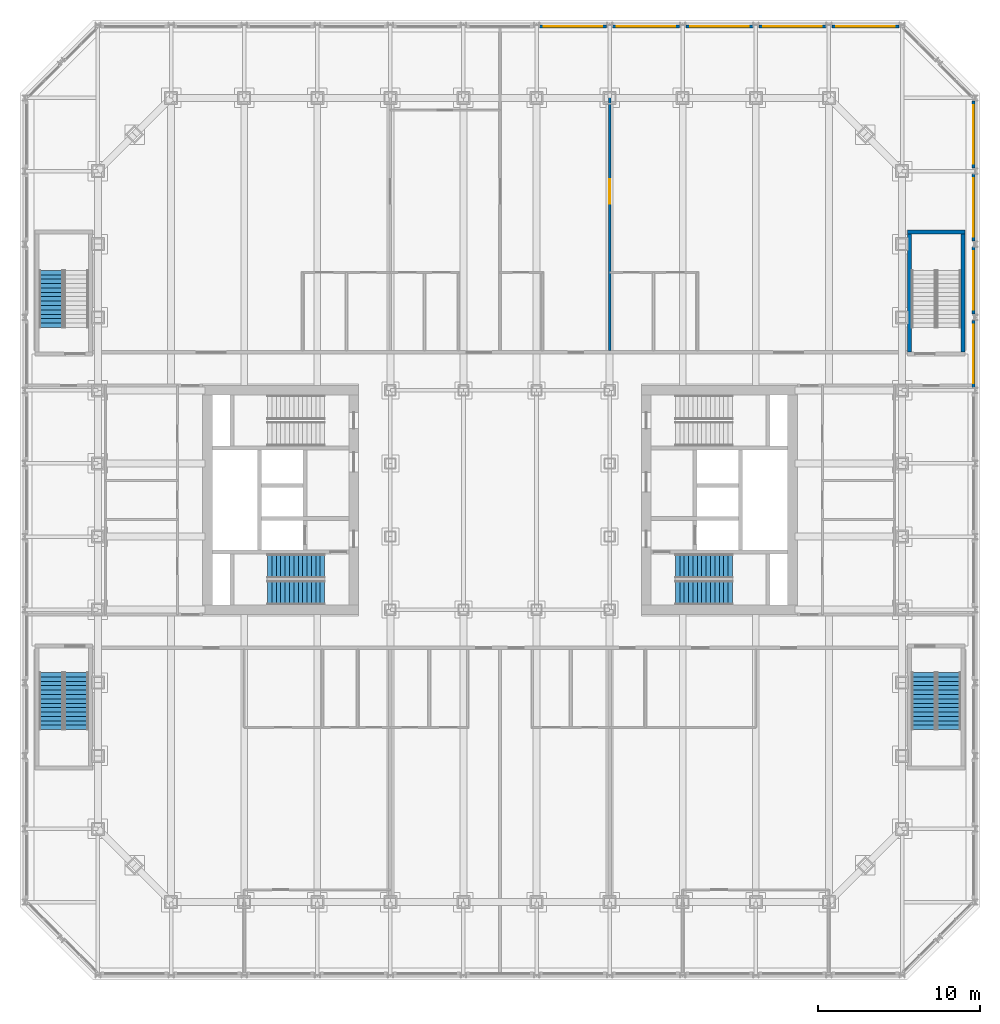
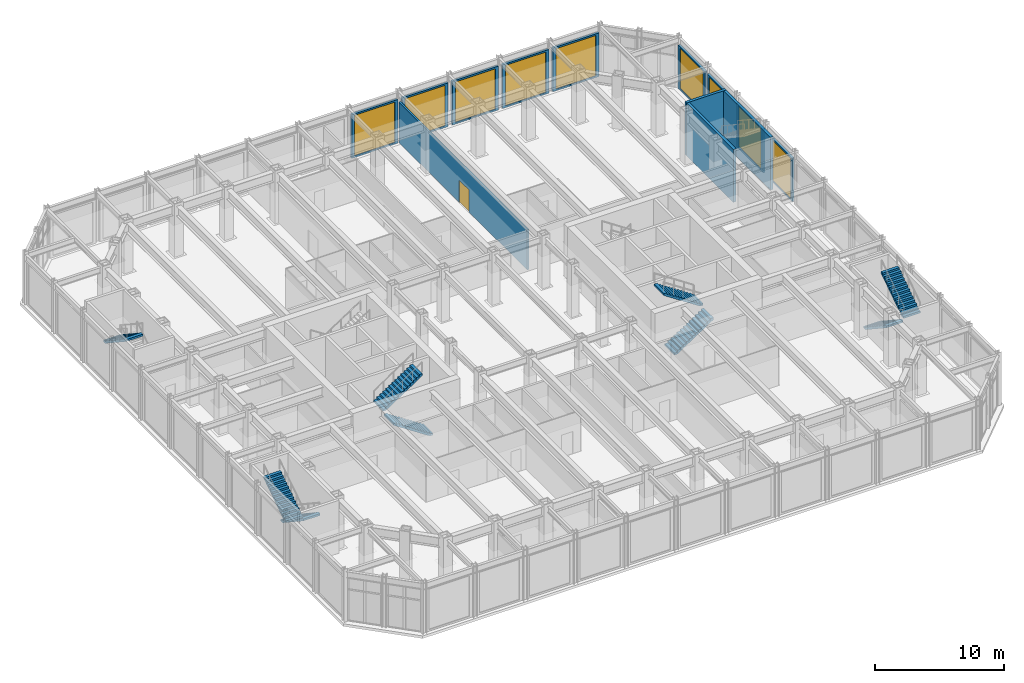
# One storey, part 15 of 19: 13 walls, 9 stair flights, 9 windows, 1 door, 10 openings, 5 elements without a shape of their own.
"""IFC4 building model written with IfcOpenShell, lengths in metres."""

from ifc_helpers import new_model, si_unit, direction, frame, frame_2d, origin, place, context, subcontext, project, spatial, polyline, rectangle, outline, extrude, material, layer, layer_set, type_object, element, fill, aggregate, save


model = new_model("IFC4")

# Units and contexts
model_context = context("Model", 3, precision=1e-05, world=origin(), true_north=direction((0.0, 1.0)))
body_context = subcontext(model_context, "Body", "Model", "MODEL_VIEW")
ifc_project = project(units=[si_unit("LENGTHUNIT", "METRE"), si_unit("AREAUNIT", "SQUARE_METRE"), si_unit("VOLUMEUNIT", "CUBIC_METRE"), si_unit("PLANEANGLEUNIT", "RADIAN"), si_unit("MASSUNIT", "GRAM", prefix="KILO")], contexts=[model_context])

# Site, building, storey
site_placement = place(None, origin())
site = spatial("IfcSite", under=ifc_project, at=site_placement, CompositionType="ELEMENT")
building_placement = place(site_placement, origin())
building = spatial("IfcBuilding", under=site, at=building_placement, Name="Msasa Ring Tower", CompositionType="ELEMENT")
storey_placement = place(building_placement, frame((0.0, 0.0, 11.0)))
storey = spatial("IfcBuildingStorey", under=building, at=storey_placement, Name="L02", CompositionType="ELEMENT", Elevation=11.0)

# Wall, opening, window
ifc_material_1 = material(Name="Terracotta rainscreen on blockwork", Category="masonry")
ifc_layer_1 = layer(ifc_material_1, 0.199951171875)
ifc_layer_set_1 = layer_set([ifc_layer_1], Name="FW2 TERRACOTTA PODIUM BAY WALL 200")
wall_type_1 = type_object("IfcWallType", Name="FW2 TERRACOTTA PODIUM BAY WALL 200", PredefinedType="SOLIDWALL", material=ifc_layer_set_1)
wall_1_placement = place(storey_placement, frame((29.14990234375, 6.9375, 0.0), z_axis=(0.0, 0.0, 1.0), x_axis=(0.0, 1.0, 0.0)))
wall_1 = element("IfcWall", 1, at=wall_1_placement, inside=storey, type_object=wall_type_1, Name="Podium bay wall E L02 20", PredefinedType="SOLIDWALL", context=body_context, shape_type="SweptSolid", body=[
    extrude(rectangle(XDim=4.125, YDim=0.199951171875, at=frame_2d((2.0625, 0.0))), origin(), (0.0, 0.0, 1.0), 4.1328125),
])
opening_1_placement = place(wall_1_placement, frame((0.262451171875, 0.0, 0.14990234375)))
opening_1 = element("IfcOpeningElement", 2, at=opening_1_placement, cuts=wall_1, Name="Opening SF3", PredefinedType="OPENING", context=body_context, shape_type="SweptSolid", body=[
    extrude(rectangle(XDim=3.60009765625, YDim=3.8330078125, at=frame_2d((1.800048828125, 1.91650390625))), frame((0.0, 0.10986328125, 0.0), z_axis=(0.0, -1.0, 0.0), x_axis=(1.0, 0.0, 0.0)), (0.0, 0.0, 1.0), 0.219970703125),
])
ifc_material_2 = material(Name="Aluminium frame with clear glass", Category="aluminium")
window_type = type_object("IfcWindowType", Name="SF3 SHOPFRONT GLAZING 3600x3833", PartitioningType="SINGLE_PANEL", PredefinedType="WINDOW", material=ifc_material_2)
window_1_placement = place(opening_1_placement, origin())
window_1 = element("IfcWindow", 3, at=window_1_placement, inside=storey, type_object=window_type, Name="Shopfront glazing E L02 20", OverallHeight=3.8330078125, OverallWidth=3.60009765625, PartitioningType="SINGLE_PANEL", PredefinedType="WINDOW", context=body_context, shape_type="SweptSolid", body=[
    extrude(rectangle(XDim=3.60009765625, YDim=3.8330078125, at=frame_2d((1.800048828125, 1.91650390625))), frame((0.0, 0.030029296875, 0.0), z_axis=(0.0, -1.0, 0.0), x_axis=(1.0, 0.0, 0.0)), (0.0, 0.0, 1.0), 0.06005859375),
])
fill(opening_1, window_1)

wall_2_placement = place(storey_placement, frame((29.14990234375, 11.4375, 0.0), z_axis=(0.0, 0.0, 1.0), x_axis=(0.0, 1.0, 0.0)))
wall_2 = element("IfcWall", 4, at=wall_2_placement, inside=storey, type_object=wall_type_1, Name="Podium bay wall E L02 21", PredefinedType="SOLIDWALL", context=body_context, shape_type="SweptSolid", body=[
    extrude(rectangle(XDim=4.125, YDim=0.199951171875, at=frame_2d((2.0625, 0.0))), origin(), (0.0, 0.0, 1.0), 4.1328125),
])
opening_2_placement = place(wall_2_placement, frame((0.262451171875, 0.0, 0.14990234375)))
opening_2 = element("IfcOpeningElement", 5, at=opening_2_placement, cuts=wall_2, Name="Opening SF3", PredefinedType="OPENING", context=body_context, shape_type="SweptSolid", body=[
    extrude(rectangle(XDim=3.60009765625, YDim=3.8330078125, at=frame_2d((1.800048828125, 1.91650390625))), frame((0.0, 0.10986328125, 0.0), z_axis=(0.0, -1.0, 0.0), x_axis=(1.0, 0.0, 0.0)), (0.0, 0.0, 1.0), 0.219970703125),
])
window_2_placement = place(opening_2_placement, origin())
window_2 = element("IfcWindow", 6, at=window_2_placement, inside=storey, type_object=window_type, Name="Shopfront glazing E L02 21", OverallHeight=3.8330078125, OverallWidth=3.60009765625, PartitioningType="SINGLE_PANEL", PredefinedType="WINDOW", context=body_context, shape_type="SweptSolid", body=[
    extrude(rectangle(XDim=3.60009765625, YDim=3.8330078125, at=frame_2d((1.800048828125, 1.91650390625))), frame((0.0, 0.030029296875, 0.0), z_axis=(0.0, -1.0, 0.0), x_axis=(1.0, 0.0, 0.0)), (0.0, 0.0, 1.0), 0.06005859375),
])
fill(opening_2, window_2)

wall_3_placement = place(storey_placement, frame((29.14990234375, 15.9375, 0.0), z_axis=(0.0, 0.0, 1.0), x_axis=(0.0, 1.0, 0.0)))
wall_3 = element("IfcWall", 7, at=wall_3_placement, inside=storey, type_object=wall_type_1, Name="Podium bay wall E L02 22", PredefinedType="SOLIDWALL", context=body_context, shape_type="SweptSolid", body=[
    extrude(rectangle(XDim=4.124755859375, YDim=0.199951171875, at=frame_2d((2.0625, 0.0))), origin(), (0.0, 0.0, 1.0), 4.1328125),
])
opening_3_placement = place(wall_3_placement, frame((0.262451171875, 0.0, 0.14990234375)))
opening_3 = element("IfcOpeningElement", 8, at=opening_3_placement, cuts=wall_3, Name="Opening SF3", PredefinedType="OPENING", context=body_context, shape_type="SweptSolid", body=[
    extrude(rectangle(XDim=3.60009765625, YDim=3.8330078125, at=frame_2d((1.800048828125, 1.91650390625))), frame((0.0, 0.10986328125, 0.0), z_axis=(0.0, -1.0, 0.0), x_axis=(1.0, 0.0, 0.0)), (0.0, 0.0, 1.0), 0.219970703125),
])
window_3_placement = place(opening_3_placement, origin())
window_3 = element("IfcWindow", 9, at=window_3_placement, inside=storey, type_object=window_type, Name="Shopfront glazing E L02 22", OverallHeight=3.8330078125, OverallWidth=3.60009765625, PartitioningType="SINGLE_PANEL", PredefinedType="WINDOW", context=body_context, shape_type="SweptSolid", body=[
    extrude(rectangle(XDim=3.60009765625, YDim=3.8330078125, at=frame_2d((1.800048828125, 1.91650390625))), frame((0.0, 0.030029296875, 0.0), z_axis=(0.0, -1.0, 0.0), x_axis=(1.0, 0.0, 0.0)), (0.0, 0.0, 1.0), 0.06005859375),
])
fill(opening_3, window_3)

wall_4_placement = place(storey_placement, frame((29.14990234375, 20.437744140625, 0.0), z_axis=(0.0, 0.0, 1.0), x_axis=(0.0, 1.0, 0.0)))
wall_4 = element("IfcWall", 10, at=wall_4_placement, inside=storey, type_object=wall_type_1, Name="Podium bay wall E L02 23", PredefinedType="SOLIDWALL", context=body_context, shape_type="SweptSolid", body=[
    extrude(rectangle(XDim=4.12451171875, YDim=0.199951171875, at=frame_2d((2.062255859375, 0.0))), origin(), (0.0, 0.0, 1.0), 4.1328125),
])
opening_4_placement = place(wall_4_placement, frame((0.26220703125, 0.0, 0.14990234375)))
opening_4 = element("IfcOpeningElement", 11, at=opening_4_placement, cuts=wall_4, Name="Opening SF3", PredefinedType="OPENING", context=body_context, shape_type="SweptSolid", body=[
    extrude(rectangle(XDim=3.60009765625, YDim=3.8330078125, at=frame_2d((1.800048828125, 1.91650390625))), frame((0.0, 0.10986328125, 0.0), z_axis=(0.0, -1.0, 0.0), x_axis=(1.0, 0.0, 0.0)), (0.0, 0.0, 1.0), 0.219970703125),
])
window_4_placement = place(opening_4_placement, origin())
window_4 = element("IfcWindow", 12, at=window_4_placement, inside=storey, type_object=window_type, Name="Shopfront glazing E L02 23", OverallHeight=3.8330078125, OverallWidth=3.60009765625, PartitioningType="SINGLE_PANEL", PredefinedType="WINDOW", context=body_context, shape_type="SweptSolid", body=[
    extrude(rectangle(XDim=3.60009765625, YDim=3.8330078125, at=frame_2d((1.800048828125, 1.91650390625))), frame((0.0, 0.030029296875, 0.0), z_axis=(0.0, -1.0, 0.0), x_axis=(1.0, 0.0, 0.0)), (0.0, 0.0, 1.0), 0.06005859375),
])
fill(opening_4, window_4)

wall_5_placement = place(storey_placement, frame((2.437744140625, 29.14990234375, 0.0), z_axis=(0.0, 0.0, 1.0), x_axis=(1.0, 0.0, 0.0)))
wall_5 = element("IfcWall", 13, at=wall_5_placement, inside=storey, type_object=wall_type_1, Name="Podium bay wall N L02 32", PredefinedType="SOLIDWALL", context=body_context, shape_type="SweptSolid", body=[
    extrude(rectangle(XDim=4.124755859375, YDim=0.199951171875, at=frame_2d((2.0625, 0.0))), origin(), (0.0, 0.0, 1.0), 4.1328125),
])
opening_5_placement = place(wall_5_placement, frame((0.26220703125, 0.0, 0.14990234375)))
opening_5 = element("IfcOpeningElement", 14, at=opening_5_placement, cuts=wall_5, Name="Opening SF3", PredefinedType="OPENING", context=body_context, shape_type="SweptSolid", body=[
    extrude(rectangle(XDim=3.60009765625, YDim=3.8330078125, at=frame_2d((1.800048828125, 1.91650390625))), frame((0.0, 0.10986328125, 0.0), z_axis=(0.0, -1.0, 0.0), x_axis=(1.0, 0.0, 0.0)), (0.0, 0.0, 1.0), 0.219970703125),
])
window_5_placement = place(opening_5_placement, origin())
window_5 = element("IfcWindow", 15, at=window_5_placement, inside=storey, type_object=window_type, Name="Shopfront glazing N L02 32", OverallHeight=3.8330078125, OverallWidth=3.60009765625, PartitioningType="SINGLE_PANEL", PredefinedType="WINDOW", context=body_context, shape_type="SweptSolid", body=[
    extrude(rectangle(XDim=3.60009765625, YDim=3.8330078125, at=frame_2d((1.800048828125, 1.91650390625))), frame((0.0, 0.030029296875, 0.0), z_axis=(0.0, -1.0, 0.0), x_axis=(1.0, 0.0, 0.0)), (0.0, 0.0, 1.0), 0.06005859375),
])
fill(opening_5, window_5)

wall_6_placement = place(storey_placement, frame((6.9375, 29.14990234375, 0.0), z_axis=(0.0, 0.0, 1.0), x_axis=(1.0, 0.0, 0.0)))
wall_6 = element("IfcWall", 16, at=wall_6_placement, inside=storey, type_object=wall_type_1, Name="Podium bay wall N L02 33", PredefinedType="SOLIDWALL", context=body_context, shape_type="SweptSolid", body=[
    extrude(rectangle(XDim=4.125, YDim=0.199951171875, at=frame_2d((2.0625, 0.0))), origin(), (0.0, 0.0, 1.0), 4.1328125),
])
opening_6_placement = place(wall_6_placement, frame((0.262451171875, 0.0, 0.14990234375)))
opening_6 = element("IfcOpeningElement", 17, at=opening_6_placement, cuts=wall_6, Name="Opening SF3", PredefinedType="OPENING", context=body_context, shape_type="SweptSolid", body=[
    extrude(rectangle(XDim=3.60009765625, YDim=3.8330078125, at=frame_2d((1.800048828125, 1.91650390625))), frame((0.0, 0.10986328125, 0.0), z_axis=(0.0, -1.0, 0.0), x_axis=(1.0, 0.0, 0.0)), (0.0, 0.0, 1.0), 0.219970703125),
])
window_6_placement = place(opening_6_placement, origin())
window_6 = element("IfcWindow", 18, at=window_6_placement, inside=storey, type_object=window_type, Name="Shopfront glazing N L02 33", OverallHeight=3.8330078125, OverallWidth=3.60009765625, PartitioningType="SINGLE_PANEL", PredefinedType="WINDOW", context=body_context, shape_type="SweptSolid", body=[
    extrude(rectangle(XDim=3.60009765625, YDim=3.8330078125, at=frame_2d((1.800048828125, 1.91650390625))), frame((0.0, 0.030029296875, 0.0), z_axis=(0.0, -1.0, 0.0), x_axis=(1.0, 0.0, 0.0)), (0.0, 0.0, 1.0), 0.06005859375),
])
fill(opening_6, window_6)

wall_7_placement = place(storey_placement, frame((11.4375, 29.14990234375, 0.0), z_axis=(0.0, 0.0, 1.0), x_axis=(1.0, 0.0, 0.0)))
wall_7 = element("IfcWall", 19, at=wall_7_placement, inside=storey, type_object=wall_type_1, Name="Podium bay wall N L02 34", PredefinedType="SOLIDWALL", context=body_context, shape_type="SweptSolid", body=[
    extrude(rectangle(XDim=4.125, YDim=0.199951171875, at=frame_2d((2.0625, 0.0))), origin(), (0.0, 0.0, 1.0), 4.1328125),
])
opening_7_placement = place(wall_7_placement, frame((0.262451171875, 0.0, 0.14990234375)))
opening_7 = element("IfcOpeningElement", 20, at=opening_7_placement, cuts=wall_7, Name="Opening SF3", PredefinedType="OPENING", context=body_context, shape_type="SweptSolid", body=[
    extrude(rectangle(XDim=3.60009765625, YDim=3.8330078125, at=frame_2d((1.800048828125, 1.91650390625))), frame((0.0, 0.10986328125, 0.0), z_axis=(0.0, -1.0, 0.0), x_axis=(1.0, 0.0, 0.0)), (0.0, 0.0, 1.0), 0.219970703125),
])
window_7_placement = place(opening_7_placement, origin())
window_7 = element("IfcWindow", 21, at=window_7_placement, inside=storey, type_object=window_type, Name="Shopfront glazing N L02 34", OverallHeight=3.8330078125, OverallWidth=3.60009765625, PartitioningType="SINGLE_PANEL", PredefinedType="WINDOW", context=body_context, shape_type="SweptSolid", body=[
    extrude(rectangle(XDim=3.60009765625, YDim=3.8330078125, at=frame_2d((1.800048828125, 1.91650390625))), frame((0.0, 0.030029296875, 0.0), z_axis=(0.0, -1.0, 0.0), x_axis=(1.0, 0.0, 0.0)), (0.0, 0.0, 1.0), 0.06005859375),
])
fill(opening_7, window_7)

wall_8_placement = place(storey_placement, frame((15.9375, 29.14990234375, 0.0), z_axis=(0.0, 0.0, 1.0), x_axis=(1.0, 0.0, 0.0)))
wall_8 = element("IfcWall", 22, at=wall_8_placement, inside=storey, type_object=wall_type_1, Name="Podium bay wall N L02 35", PredefinedType="SOLIDWALL", context=body_context, shape_type="SweptSolid", body=[
    extrude(rectangle(XDim=4.124755859375, YDim=0.199951171875, at=frame_2d((2.0625, 0.0))), origin(), (0.0, 0.0, 1.0), 4.1328125),
])
opening_8_placement = place(wall_8_placement, frame((0.262451171875, 0.0, 0.14990234375)))
opening_8 = element("IfcOpeningElement", 23, at=opening_8_placement, cuts=wall_8, Name="Opening SF3", PredefinedType="OPENING", context=body_context, shape_type="SweptSolid", body=[
    extrude(rectangle(XDim=3.60009765625, YDim=3.8330078125, at=frame_2d((1.800048828125, 1.91650390625))), frame((0.0, 0.10986328125, 0.0), z_axis=(0.0, -1.0, 0.0), x_axis=(1.0, 0.0, 0.0)), (0.0, 0.0, 1.0), 0.219970703125),
])
window_8_placement = place(opening_8_placement, origin())
window_8 = element("IfcWindow", 24, at=window_8_placement, inside=storey, type_object=window_type, Name="Shopfront glazing N L02 35", OverallHeight=3.8330078125, OverallWidth=3.60009765625, PartitioningType="SINGLE_PANEL", PredefinedType="WINDOW", context=body_context, shape_type="SweptSolid", body=[
    extrude(rectangle(XDim=3.60009765625, YDim=3.8330078125, at=frame_2d((1.800048828125, 1.91650390625))), frame((0.0, 0.030029296875, 0.0), z_axis=(0.0, -1.0, 0.0), x_axis=(1.0, 0.0, 0.0)), (0.0, 0.0, 1.0), 0.06005859375),
])
fill(opening_8, window_8)

wall_9_placement = place(storey_placement, frame((20.437744140625, 29.14990234375, 0.0), z_axis=(0.0, 0.0, 1.0), x_axis=(1.0, 0.0, 0.0)))
wall_9 = element("IfcWall", 25, at=wall_9_placement, inside=storey, type_object=wall_type_1, Name="Podium bay wall N L02 36", PredefinedType="SOLIDWALL", context=body_context, shape_type="SweptSolid", body=[
    extrude(rectangle(XDim=4.12451171875, YDim=0.199951171875, at=frame_2d((2.062255859375, 0.0))), origin(), (0.0, 0.0, 1.0), 4.1328125),
])
opening_9_placement = place(wall_9_placement, frame((0.26220703125, 0.0, 0.14990234375)))
opening_9 = element("IfcOpeningElement", 26, at=opening_9_placement, cuts=wall_9, Name="Opening SF3", PredefinedType="OPENING", context=body_context, shape_type="SweptSolid", body=[
    extrude(rectangle(XDim=3.60009765625, YDim=3.8330078125, at=frame_2d((1.800048828125, 1.91650390625))), frame((0.0, 0.10986328125, 0.0), z_axis=(0.0, -1.0, 0.0), x_axis=(1.0, 0.0, 0.0)), (0.0, 0.0, 1.0), 0.219970703125),
])
window_9_placement = place(opening_9_placement, origin())
window_9 = element("IfcWindow", 27, at=window_9_placement, inside=storey, type_object=window_type, Name="Shopfront glazing N L02 36", OverallHeight=3.8330078125, OverallWidth=3.60009765625, PartitioningType="SINGLE_PANEL", PredefinedType="WINDOW", context=body_context, shape_type="SweptSolid", body=[
    extrude(rectangle(XDim=3.60009765625, YDim=3.8330078125, at=frame_2d((1.800048828125, 1.91650390625))), frame((0.0, 0.030029296875, 0.0), z_axis=(0.0, -1.0, 0.0), x_axis=(1.0, 0.0, 0.0)), (0.0, 0.0, 1.0), 0.06005859375),
])
fill(opening_9, window_9)

# Wall, opening, door
ifc_material_3 = material(Name="Moisture-resistant board on steel studs with a concealed cistern and pipe void, tiled", Category="steel")
ifc_layer_2 = layer(ifc_material_3, 0.14990234375)
ifc_layer_set_2 = layer_set([ifc_layer_2], Name="PT4 BATHROOM WET WALL 150")
wall_type_2 = type_object("IfcWallType", Name="PT4 BATHROOM WET WALL 150", PredefinedType="PARTITIONING", material=ifc_layer_set_2)
wall_10_placement = place(storey_placement, frame((6.75, 9.199951171875, 0.0), z_axis=(0.0, 0.0, 1.0), x_axis=(0.0, 1.0, 0.0)))
wall_10 = element("IfcWall", 28, at=wall_10_placement, inside=storey, type_object=wall_type_2, Name="Partition L02-PWN+6.75", PredefinedType="PARTITIONING", context=body_context, shape_type="SweptSolid", body=[
    extrude(rectangle(XDim=19.888916015625, YDim=0.14990234375, at=frame_2d((9.9443359375, 0.0))), origin(), (0.0, 0.0, 1.0), 3.8291015625),
])
opening_10_placement = place(wall_10_placement, frame((9.050048828125, 0.0, 0.0)))
opening_10 = element("IfcOpeningElement", 29, at=opening_10_placement, cuts=wall_10, Name="Opening L02-004", PredefinedType="OPENING", context=body_context, shape_type="SweptSolid", body=[
    extrude(rectangle(XDim=1.5, YDim=2.10009765625, at=frame_2d((0.75, 1.050048828125))), frame((0.0, 0.0849609375, 0.0), z_axis=(0.0, -1.0, 0.0), x_axis=(1.0, 0.0, 0.0)), (0.0, 0.0, 1.0), 0.169921875),
])
ifc_material_4 = material(Name="Timber door leaf in a steel frame", Category="steel")
door_type = type_object("IfcDoorType", Name="D28 INTERNAL KITCHEN DOUBLE SWING DOOR 1500x2100", OperationType="SINGLE_SWING_LEFT", PredefinedType="DOOR", material=ifc_material_4)
door_placement = place(opening_10_placement, origin())
door = element("IfcDoor", 30, at=door_placement, inside=storey, type_object=door_type, Name="Door L02-PKN2", OperationType="SINGLE_SWING_LEFT", OverallHeight=2.10009765625, OverallWidth=1.5, PredefinedType="DOOR", context=body_context, shape_type="SweptSolid", body=[
    extrude(rectangle(XDim=1.5, YDim=2.10009765625, at=frame_2d((0.75, 1.050048828125))), frame((0.0, 0.02490234375, 0.0), z_axis=(0.0, -1.0, 0.0), x_axis=(1.0, 0.0, 0.0)), (0.0, 0.0, 1.0), 0.050048828125),
])
fill(opening_10, door)

# Walls
ifc_material_5 = material(Name="Concrete C60/75", Category="concrete")
ifc_layer_3 = layer(ifc_material_5, 0.25)
ifc_layer_set_3 = layer_set([ifc_layer_3], Name="SW1 STAIR WALL 250")
wall_type_3 = type_object("IfcWallType", Name="SW1 STAIR WALL 250", PredefinedType="SHEAR", material=ifc_layer_set_3)
wall_11_placement = place(storey_placement, frame((25.074951171875, 16.5, 0.0), z_axis=(0.0, 0.0, 1.0), x_axis=(1.0, 0.0, 0.0)))
element("IfcWall", 31, at=wall_11_placement, inside=storey, type_object=wall_type_3, Name="Podium stair EN wall N L02", PredefinedType="SHEAR", context=body_context, shape_type="SweptSolid", body=[
    extrude(rectangle(XDim=3.550048828125, YDim=0.25, at=frame_2d((1.77490234375, 0.0))), origin(), (0.0, 0.0, 1.0), 5.0),
])
for number, where, z_axis, x_axis, name in (
    (32, (25.199951171875, 9.125, 0.0), (0.0, 0.0, 1.0), (0.0, 1.0, 0.0), "Podium stair EN wall W L02"),
    (33, (28.5, 9.125, 0.0), (0.0, 0.0, 1.0), (0.0, 1.0, 0.0), "Podium stair EN wall E L02"),
):
    element("IfcWall", number, at=place(storey_placement, frame(where, z_axis=z_axis, x_axis=x_axis)), inside=storey, type_object=wall_type_3, Name=name, PredefinedType="SHEAR", context=body_context, shape_type="SweptSolid", body=[
        extrude(rectangle(XDim=7.25, YDim=0.25, at=frame_2d((3.625, 0.0))), origin(), (0.0, 0.0, 1.0), 5.0),
    ])

# Stair, stair flights
ifc_material_6 = material(Name="Concrete C40/50", Category="concrete")
stair_type_1 = type_object("IfcStairType", Name="STC CORE STAIR 28 RISERS 178.6", PredefinedType="HALF_TURN_STAIR", material=ifc_material_6)
stair_1_placement = place(storey_placement, origin())
stair_1 = element("IfcStair", 34, at=stair_1_placement, inside=storey, type_object=stair_type_1, Name="Core stair SEA L02", PredefinedType="HALF_TURN_STAIR")
ifc_material_7 = material(Name="Concrete C40/50", Category="concrete")
stair_flight_type_1 = type_object("IfcStairFlightType", Name="ST13 CORE STAIR FLIGHT 1500 14 RISERS 178.6", PredefinedType="STRAIGHT", material=ifc_material_7)
stair_flight_1_placement = place(storey_placement, frame((10.800048828125, -5.699951171875, 0.0), z_axis=(0.0, 0.0, 1.0), x_axis=(1.0, 0.0, 0.0)))
stair_flight_1 = element("IfcStairFlight", 35, at=stair_flight_1_placement, type_object=stair_flight_type_1, Name="SEA flight 1", NumberOfRisers=14, NumberOfTreads=13, PredefinedType="STRAIGHT", RiserHeight=0.178571429, TreadLength=0.27, context=body_context, shape_type="SweptSolid", body=[
    extrude(outline(polyline([(0.0, 0.0), (0.0, 0.178466796875), (0.27001953125, 0.178466796875), (0.27001953125, 0.357177734375), (0.5400390625, 0.357177734375), (0.5400390625, 0.53564453125), (0.81005859375, 0.53564453125), (0.81005859375, 0.71435546875), (1.080078125, 0.71435546875), (1.080078125, 0.892822265625), (1.35009765625, 0.892822265625), (1.35009765625, 1.071533203125), (1.6201171875, 1.071533203125), (1.6201171875, 1.25), (1.889892578125, 1.25), (1.889892578125, 1.428466796875), (2.159912109375, 1.428466796875), (2.159912109375, 1.607177734375), (2.429931640625, 1.607177734375), (2.429931640625, 1.78564453125), (2.699951171875, 1.78564453125), (2.699951171875, 1.96435546875), (2.969970703125, 1.96435546875), (2.969970703125, 2.142822265625), (3.239990234375, 2.142822265625), (3.239990234375, 2.321533203125), (3.510009765625, 2.321533203125), (3.510009765625, 2.5), (3.510009765625, 2.1416015625), (0.271728515625, 0.0), (0.0, 0.0)])), frame((0.0, 0.75, 0.0), z_axis=(0.0, -1.0, 0.0), x_axis=(1.0, 0.0, 0.0)), (0.0, 0.0, 1.0), 1.5),
])
stair_flight_2_placement = place(storey_placement, frame((14.31005859375, -4.074951171875, 2.5), z_axis=(0.0, 0.0, 1.0), x_axis=(-1.0, 0.0, 0.0)))
stair_flight_2 = element("IfcStairFlight", 36, at=stair_flight_2_placement, type_object=stair_flight_type_1, Name="SEA flight 2", NumberOfRisers=14, NumberOfTreads=13, PredefinedType="STRAIGHT", RiserHeight=0.178571429, TreadLength=0.27, context=body_context, shape_type="SweptSolid", body=[
    extrude(outline(polyline([(0.0, 0.0), (0.0, 0.178466796875), (0.27001953125, 0.178466796875), (0.27001953125, 0.357177734375), (0.5400390625, 0.357177734375), (0.5400390625, 0.53564453125), (0.81005859375, 0.53564453125), (0.81005859375, 0.71435546875), (1.080078125, 0.71435546875), (1.080078125, 0.892822265625), (1.35009765625, 0.892822265625), (1.35009765625, 1.071533203125), (1.6201171875, 1.071533203125), (1.6201171875, 1.25), (1.889892578125, 1.25), (1.889892578125, 1.428466796875), (2.159912109375, 1.428466796875), (2.159912109375, 1.607177734375), (2.429931640625, 1.607177734375), (2.429931640625, 1.78564453125), (2.699951171875, 1.78564453125), (2.699951171875, 1.96435546875), (2.969970703125, 1.96435546875), (2.969970703125, 2.142822265625), (3.239990234375, 2.142822265625), (3.239990234375, 2.321533203125), (3.510009765625, 2.321533203125), (3.510009765625, 2.5), (3.510009765625, 2.1416015625), (0.271728515625, 0.0), (0.0, 0.0)])), frame((0.0, 0.75, 0.0), z_axis=(0.0, -1.0, 0.0), x_axis=(1.0, 0.0, 0.0)), (0.0, 0.0, 1.0), 1.5),
])
aggregate(stair_1, [stair_flight_1, stair_flight_2])

stair_2_placement = place(storey_placement, origin())
stair_2 = element("IfcStair", 37, at=stair_2_placement, inside=storey, type_object=stair_type_1, Name="Core stair SWA L02", PredefinedType="HALF_TURN_STAIR")
stair_flight_3_placement = place(storey_placement, frame((-10.800048828125, -5.699951171875, 0.0), z_axis=(0.0, 0.0, 1.0), x_axis=(-1.0, 0.0, 0.0)))
stair_flight_3 = element("IfcStairFlight", 38, at=stair_flight_3_placement, type_object=stair_flight_type_1, Name="SWA flight 1", NumberOfRisers=14, NumberOfTreads=13, PredefinedType="STRAIGHT", RiserHeight=0.178571429, TreadLength=0.27, context=body_context, shape_type="SweptSolid", body=[
    extrude(outline(polyline([(0.0, 0.0), (0.0, 0.178466796875), (0.27001953125, 0.178466796875), (0.27001953125, 0.357177734375), (0.5400390625, 0.357177734375), (0.5400390625, 0.53564453125), (0.81005859375, 0.53564453125), (0.81005859375, 0.71435546875), (1.080078125, 0.71435546875), (1.080078125, 0.892822265625), (1.35009765625, 0.892822265625), (1.35009765625, 1.071533203125), (1.6201171875, 1.071533203125), (1.6201171875, 1.25), (1.889892578125, 1.25), (1.889892578125, 1.428466796875), (2.159912109375, 1.428466796875), (2.159912109375, 1.607177734375), (2.429931640625, 1.607177734375), (2.429931640625, 1.78564453125), (2.699951171875, 1.78564453125), (2.699951171875, 1.96435546875), (2.969970703125, 1.96435546875), (2.969970703125, 2.142822265625), (3.239990234375, 2.142822265625), (3.239990234375, 2.321533203125), (3.510009765625, 2.321533203125), (3.510009765625, 2.5), (3.510009765625, 2.1416015625), (0.271728515625, 0.0), (0.0, 0.0)])), frame((0.0, 0.75, 0.0), z_axis=(0.0, -1.0, 0.0), x_axis=(1.0, 0.0, 0.0)), (0.0, 0.0, 1.0), 1.5),
])
stair_flight_4_placement = place(storey_placement, frame((-14.31005859375, -4.074951171875, 2.5), z_axis=(0.0, 0.0, 1.0), x_axis=(1.0, 0.0, 0.0)))
stair_flight_4 = element("IfcStairFlight", 39, at=stair_flight_4_placement, type_object=stair_flight_type_1, Name="SWA flight 2", NumberOfRisers=14, NumberOfTreads=13, PredefinedType="STRAIGHT", RiserHeight=0.178571429, TreadLength=0.27, context=body_context, shape_type="SweptSolid", body=[
    extrude(outline(polyline([(0.0, 0.0), (0.0, 0.178466796875), (0.27001953125, 0.178466796875), (0.27001953125, 0.357177734375), (0.5400390625, 0.357177734375), (0.5400390625, 0.53564453125), (0.81005859375, 0.53564453125), (0.81005859375, 0.71435546875), (1.080078125, 0.71435546875), (1.080078125, 0.892822265625), (1.35009765625, 0.892822265625), (1.35009765625, 1.071533203125), (1.6201171875, 1.071533203125), (1.6201171875, 1.25), (1.889892578125, 1.25), (1.889892578125, 1.428466796875), (2.159912109375, 1.428466796875), (2.159912109375, 1.607177734375), (2.429931640625, 1.607177734375), (2.429931640625, 1.78564453125), (2.699951171875, 1.78564453125), (2.699951171875, 1.96435546875), (2.969970703125, 1.96435546875), (2.969970703125, 2.142822265625), (3.239990234375, 2.142822265625), (3.239990234375, 2.321533203125), (3.510009765625, 2.321533203125), (3.510009765625, 2.5), (3.510009765625, 2.1416015625), (0.271728515625, 0.0), (0.0, 0.0)])), frame((0.0, 0.75, 0.0), z_axis=(0.0, -1.0, 0.0), x_axis=(1.0, 0.0, 0.0)), (0.0, 0.0, 1.0), 1.5),
])
aggregate(stair_2, [stair_flight_3, stair_flight_4])

ifc_material_8 = material(Name="Concrete C40/50", Category="concrete")
stair_type_2 = type_object("IfcStairType", Name="STP PODIUM STAIR 28 RISERS 178.6", PredefinedType="HALF_TURN_STAIR", material=ifc_material_8)
stair_3_placement = place(storey_placement, origin())
stair_3 = element("IfcStair", 40, at=stair_3_placement, inside=storey, type_object=stair_type_2, Name="Podium stair PES L02", PredefinedType="HALF_TURN_STAIR")
ifc_material_9 = material(Name="Concrete C40/50", Category="concrete")
stair_flight_type_2 = type_object("IfcStairFlightType", Name="ST21 PODIUM STAIR FLIGHT 1500 14 RISERS 178.6", PredefinedType="STRAIGHT", material=ifc_material_9)
stair_flight_5_placement = place(storey_placement, frame((26.074951171875, -10.625, 0.0), z_axis=(0.0, 0.0, 1.0), x_axis=(0.0, -1.0, 0.0)))
stair_flight_5 = element("IfcStairFlight", 41, at=stair_flight_5_placement, type_object=stair_flight_type_2, Name="PES flight 1", NumberOfRisers=14, NumberOfTreads=13, PredefinedType="STRAIGHT", RiserHeight=0.178571429, TreadLength=0.27, context=body_context, shape_type="SweptSolid", body=[
    extrude(outline(polyline([(0.0, 0.0), (0.0, 0.178466796875), (0.27001953125, 0.178466796875), (0.27001953125, 0.357177734375), (0.5400390625, 0.357177734375), (0.5400390625, 0.53564453125), (0.81005859375, 0.53564453125), (0.81005859375, 0.71435546875), (1.080078125, 0.71435546875), (1.080078125, 0.892822265625), (1.35009765625, 0.892822265625), (1.35009765625, 1.071533203125), (1.6201171875, 1.071533203125), (1.6201171875, 1.25), (1.889892578125, 1.25), (1.889892578125, 1.428466796875), (2.159912109375, 1.428466796875), (2.159912109375, 1.607177734375), (2.429931640625, 1.607177734375), (2.429931640625, 1.78564453125), (2.699951171875, 1.78564453125), (2.699951171875, 1.96435546875), (2.969970703125, 1.96435546875), (2.969970703125, 2.142822265625), (3.239990234375, 2.142822265625), (3.239990234375, 2.321533203125), (3.510009765625, 2.321533203125), (3.510009765625, 2.5), (3.510009765625, 2.1416015625), (0.271728515625, 0.0), (0.0, 0.0)])), frame((0.0, 0.75, 0.0), z_axis=(0.0, -1.0, 0.0), x_axis=(1.0, 0.0, 0.0)), (0.0, 0.0, 1.0), 1.5),
])
stair_flight_6_placement = place(storey_placement, frame((27.625, -14.135009765625, 2.5), z_axis=(0.0, 0.0, 1.0), x_axis=(0.0, 1.0, 0.0)))
stair_flight_6 = element("IfcStairFlight", 42, at=stair_flight_6_placement, type_object=stair_flight_type_2, Name="PES flight 2", NumberOfRisers=14, NumberOfTreads=13, PredefinedType="STRAIGHT", RiserHeight=0.178571429, TreadLength=0.27, context=body_context, shape_type="SweptSolid", body=[
    extrude(outline(polyline([(0.0, 0.0), (0.0, 0.178466796875), (0.27001953125, 0.178466796875), (0.27001953125, 0.357177734375), (0.5400390625, 0.357177734375), (0.5400390625, 0.53564453125), (0.81005859375, 0.53564453125), (0.81005859375, 0.71435546875), (1.080078125, 0.71435546875), (1.080078125, 0.892822265625), (1.35009765625, 0.892822265625), (1.35009765625, 1.071533203125), (1.6201171875, 1.071533203125), (1.6201171875, 1.25), (1.889892578125, 1.25), (1.889892578125, 1.428466796875), (2.159912109375, 1.428466796875), (2.159912109375, 1.607177734375), (2.429931640625, 1.607177734375), (2.429931640625, 1.78564453125), (2.699951171875, 1.78564453125), (2.699951171875, 1.96435546875), (2.969970703125, 1.96435546875), (2.969970703125, 2.142822265625), (3.239990234375, 2.142822265625), (3.239990234375, 2.321533203125), (3.510009765625, 2.321533203125), (3.510009765625, 2.5), (3.510009765625, 2.1416015625), (0.271728515625, 0.0), (0.0, 0.0)])), frame((0.0, 0.75, 0.0), z_axis=(0.0, -1.0, 0.0), x_axis=(1.0, 0.0, 0.0)), (0.0, 0.0, 1.0), 1.5),
])
aggregate(stair_3, [stair_flight_5, stair_flight_6])

# Stair, stair flight
stair_4_placement = place(storey_placement, origin())
stair_4 = element("IfcStair", 43, at=stair_4_placement, inside=storey, type_object=stair_type_2, Name="Podium stair PWN L02", PredefinedType="HALF_TURN_STAIR")
stair_flight_7_placement = place(storey_placement, frame((-27.625, 14.135009765625, 2.5), z_axis=(0.0, 0.0, 1.0), x_axis=(0.0, -1.0, 0.0)))
stair_flight_7 = element("IfcStairFlight", 44, at=stair_flight_7_placement, type_object=stair_flight_type_2, Name="PWN flight 2", NumberOfRisers=14, NumberOfTreads=13, PredefinedType="STRAIGHT", RiserHeight=0.178571429, TreadLength=0.27, context=body_context, shape_type="SweptSolid", body=[
    extrude(outline(polyline([(0.0, 0.0), (0.0, 0.178466796875), (0.27001953125, 0.178466796875), (0.27001953125, 0.357177734375), (0.5400390625, 0.357177734375), (0.5400390625, 0.53564453125), (0.81005859375, 0.53564453125), (0.81005859375, 0.71435546875), (1.080078125, 0.71435546875), (1.080078125, 0.892822265625), (1.35009765625, 0.892822265625), (1.35009765625, 1.071533203125), (1.6201171875, 1.071533203125), (1.6201171875, 1.25), (1.889892578125, 1.25), (1.889892578125, 1.428466796875), (2.159912109375, 1.428466796875), (2.159912109375, 1.607177734375), (2.429931640625, 1.607177734375), (2.429931640625, 1.78564453125), (2.699951171875, 1.78564453125), (2.699951171875, 1.96435546875), (2.969970703125, 1.96435546875), (2.969970703125, 2.142822265625), (3.239990234375, 2.142822265625), (3.239990234375, 2.321533203125), (3.510009765625, 2.321533203125), (3.510009765625, 2.5), (3.510009765625, 2.1416015625), (0.271728515625, 0.0), (0.0, 0.0)])), frame((0.0, 0.75, 0.0), z_axis=(0.0, -1.0, 0.0), x_axis=(1.0, 0.0, 0.0)), (0.0, 0.0, 1.0), 1.5),
])
aggregate(stair_4, [stair_flight_7])

# Stair, stair flights
stair_5_placement = place(storey_placement, origin())
stair_5 = element("IfcStair", 45, at=stair_5_placement, inside=storey, type_object=stair_type_2, Name="Podium stair PWS L02", PredefinedType="HALF_TURN_STAIR")
stair_flight_8_placement = place(storey_placement, frame((-26.074951171875, -10.625, 0.0), z_axis=(0.0, 0.0, 1.0), x_axis=(0.0, -1.0, 0.0)))
stair_flight_8 = element("IfcStairFlight", 46, at=stair_flight_8_placement, type_object=stair_flight_type_2, Name="PWS flight 1", NumberOfRisers=14, NumberOfTreads=13, PredefinedType="STRAIGHT", RiserHeight=0.178571429, TreadLength=0.27, context=body_context, shape_type="SweptSolid", body=[
    extrude(outline(polyline([(0.0, 0.0), (0.0, 0.178466796875), (0.27001953125, 0.178466796875), (0.27001953125, 0.357177734375), (0.5400390625, 0.357177734375), (0.5400390625, 0.53564453125), (0.81005859375, 0.53564453125), (0.81005859375, 0.71435546875), (1.080078125, 0.71435546875), (1.080078125, 0.892822265625), (1.35009765625, 0.892822265625), (1.35009765625, 1.071533203125), (1.6201171875, 1.071533203125), (1.6201171875, 1.25), (1.889892578125, 1.25), (1.889892578125, 1.428466796875), (2.159912109375, 1.428466796875), (2.159912109375, 1.607177734375), (2.429931640625, 1.607177734375), (2.429931640625, 1.78564453125), (2.699951171875, 1.78564453125), (2.699951171875, 1.96435546875), (2.969970703125, 1.96435546875), (2.969970703125, 2.142822265625), (3.239990234375, 2.142822265625), (3.239990234375, 2.321533203125), (3.510009765625, 2.321533203125), (3.510009765625, 2.5), (3.510009765625, 2.1416015625), (0.271728515625, 0.0), (0.0, 0.0)])), frame((0.0, 0.75, 0.0), z_axis=(0.0, -1.0, 0.0), x_axis=(1.0, 0.0, 0.0)), (0.0, 0.0, 1.0), 1.5),
])
stair_flight_9_placement = place(storey_placement, frame((-27.625, -14.135009765625, 2.5), z_axis=(0.0, 0.0, 1.0), x_axis=(0.0, 1.0, 0.0)))
stair_flight_9 = element("IfcStairFlight", 47, at=stair_flight_9_placement, type_object=stair_flight_type_2, Name="PWS flight 2", NumberOfRisers=14, NumberOfTreads=13, PredefinedType="STRAIGHT", RiserHeight=0.178571429, TreadLength=0.27, context=body_context, shape_type="SweptSolid", body=[
    extrude(outline(polyline([(0.0, 0.0), (0.0, 0.178466796875), (0.27001953125, 0.178466796875), (0.27001953125, 0.357177734375), (0.5400390625, 0.357177734375), (0.5400390625, 0.53564453125), (0.81005859375, 0.53564453125), (0.81005859375, 0.71435546875), (1.080078125, 0.71435546875), (1.080078125, 0.892822265625), (1.35009765625, 0.892822265625), (1.35009765625, 1.071533203125), (1.6201171875, 1.071533203125), (1.6201171875, 1.25), (1.889892578125, 1.25), (1.889892578125, 1.428466796875), (2.159912109375, 1.428466796875), (2.159912109375, 1.607177734375), (2.429931640625, 1.607177734375), (2.429931640625, 1.78564453125), (2.699951171875, 1.78564453125), (2.699951171875, 1.96435546875), (2.969970703125, 1.96435546875), (2.969970703125, 2.142822265625), (3.239990234375, 2.142822265625), (3.239990234375, 2.321533203125), (3.510009765625, 2.321533203125), (3.510009765625, 2.5), (3.510009765625, 2.1416015625), (0.271728515625, 0.0), (0.0, 0.0)])), frame((0.0, 0.75, 0.0), z_axis=(0.0, -1.0, 0.0), x_axis=(1.0, 0.0, 0.0)), (0.0, 0.0, 1.0), 1.5),
])
aggregate(stair_5, [stair_flight_8, stair_flight_9])

save(model, "model.ifc")
